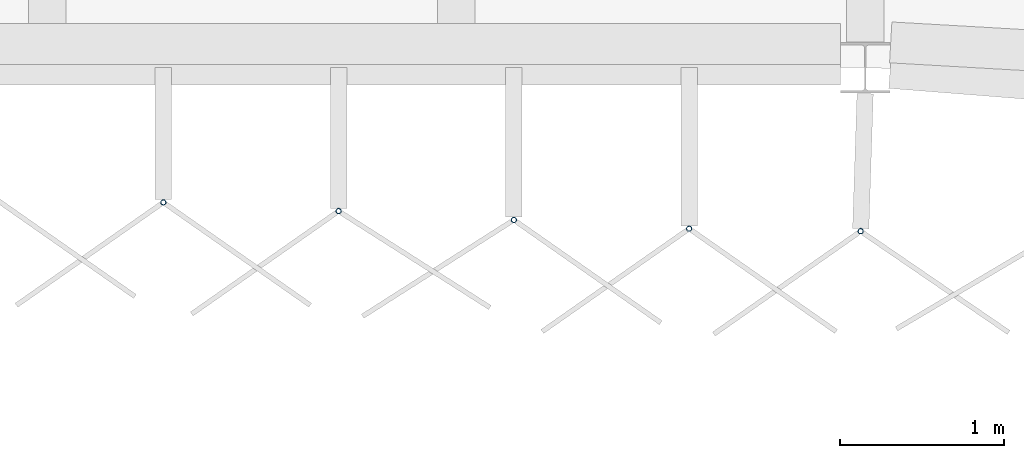
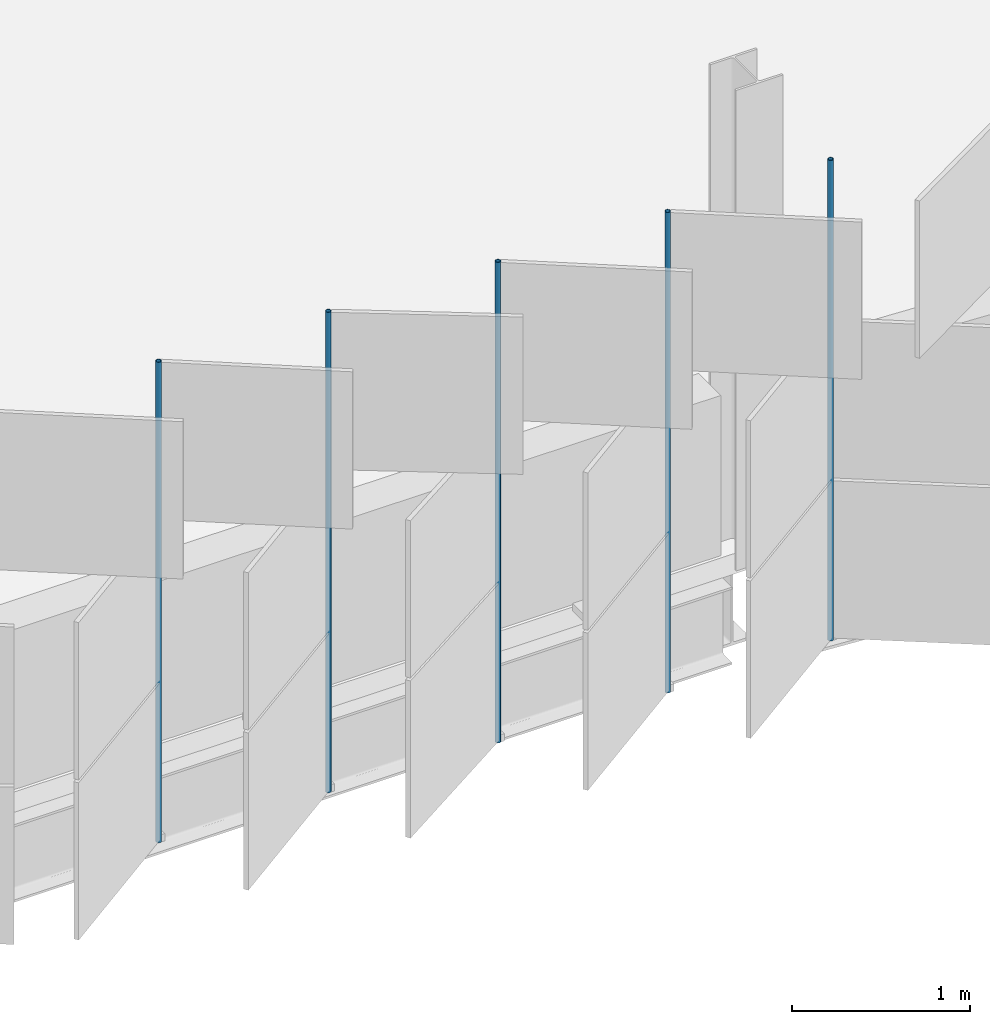
# One storey, part 110 of 198: 5 discrete accessories.
"""IFC4 building model written with IfcOpenShell, lengths in metres."""

from ifc_helpers import new_model, si_unit, direction, frame, origin, origin_2d, place, context, subcontext, project, spatial, hollow_circle, extrude, material, material_profile, profile_set, type_object, element, save


model = new_model("IFC4")

# Units and contexts
model_context = context("Model", 3, precision=1e-05, world=origin(), true_north=direction((0.0, 1.0)))
body_context = subcontext(model_context, "Body", "Model", "MODEL_VIEW")
ifc_project = project(units=[si_unit("LENGTHUNIT", "METRE"), si_unit("AREAUNIT", "SQUARE_METRE"), si_unit("VOLUMEUNIT", "CUBIC_METRE"), si_unit("PLANEANGLEUNIT", "RADIAN"), si_unit("MASSUNIT", "GRAM", prefix="KILO")], contexts=[model_context])

# Site, building, storey
site_placement = place(None, origin())
site = spatial("IfcSite", under=ifc_project, at=site_placement, CompositionType="ELEMENT")
building_placement = place(site_placement, origin())
building = spatial("IfcBuilding", under=site, at=building_placement, Name="Parallax Yard Mobility Hub", CompositionType="ELEMENT")
storey_placement = place(building_placement, frame((0.0, 0.0, 6.60009765625)))
storey = spatial("IfcBuildingStorey", under=building, at=storey_placement, Name="L02", CompositionType="ELEMENT", Elevation=6.60009765625)

# Discrete accessories
ifc_material = material(Name="Steel ASTM A500 Gr C, hot-dip galvanised", Category="steel")
ifc_material_profile = material_profile(ifc_material, hollow_circle(Radius=0.016845703125, WallThickness=0.003173828125, at=origin_2d()), Name="CHS 33.7x3.2")
ifc_profile_set = profile_set([ifc_material_profile], Name="Steel ASTM A500 Gr C, hot-dip galvanised")
discrete_accessory_type = type_object("IfcDiscreteAccessoryType", Name="Hinge post CHS 33.7x3.2", PredefinedType="BRACKET", material=ifc_profile_set)
for number, where, z_axis, x_axis, name in (
    (1, (168.208984375, 111.6767578125, 0.0), (0.0, 0.0, 1.0), (1.0, 0.0, 0.0), "Hinge post bay 17.4 level L02"),
    (2, (169.280517578125, 111.623291015625, 0.0), (0.0, 0.0, 1.0), (1.0, 0.0, 0.0), "Hinge post bay 17.5 level L02"),
    (3, (170.35205078125, 111.569580078125, 0.0), (0.0, 0.0, 1.0), (1.0, 0.0, 0.0), "Hinge post bay 17.6 level L02"),
    (4, (171.423583984375, 111.51611328125, 0.0), (0.0, 0.0, 1.0), (1.0, 0.0, 0.0), "Hinge post bay 17.7 level L02"),
    (5, (172.47216796875, 111.50048828125, 0.0), (0.0, 0.0, 1.0), (1.0, 0.0, 0.0), "Hinge post bay 18.1 level L02"),
):
    element("IfcDiscreteAccessory", number, at=place(storey_placement, frame(where, z_axis=z_axis, x_axis=x_axis)), inside=storey, type_object=discrete_accessory_type, Name=name, PredefinedType="BRACKET", context=body_context, shape_type="SweptSolid", body=[
        extrude(hollow_circle(Radius=0.016845703125, WallThickness=0.003173828125, at=origin_2d()), origin(), (0.0, 0.0, 1.0), 3.2998046875),
    ])

save(model, "model.ifc")
